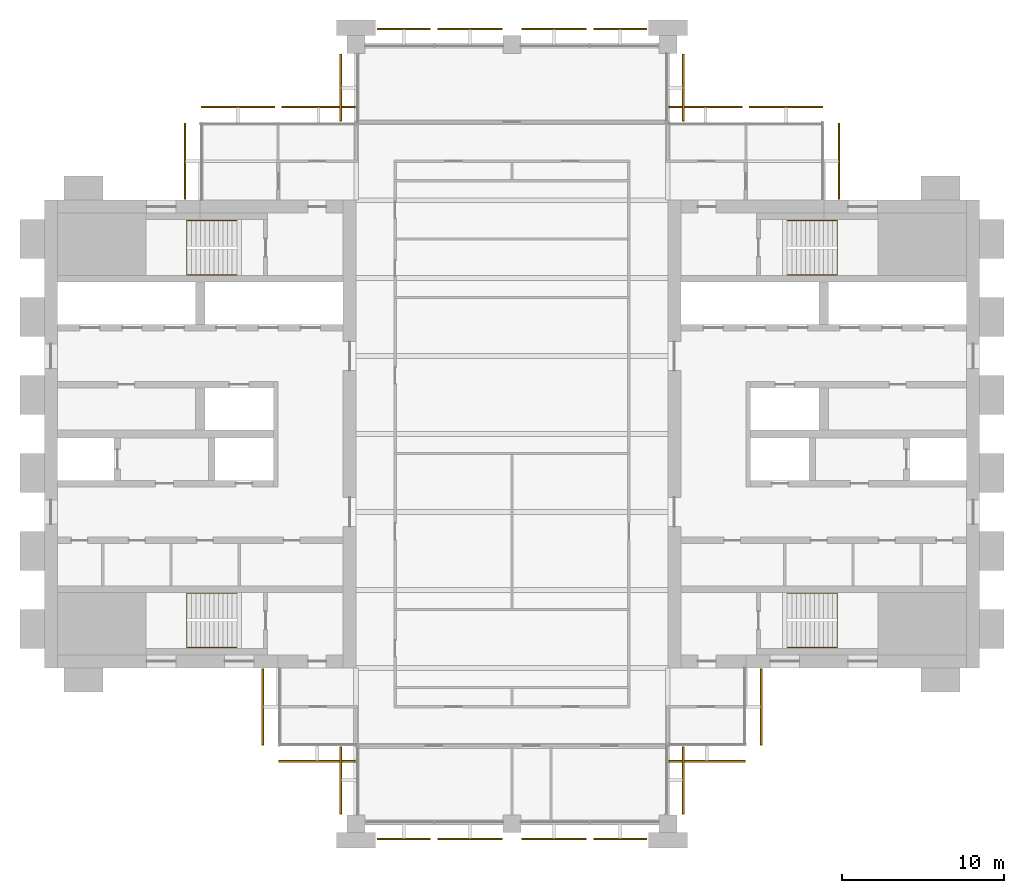
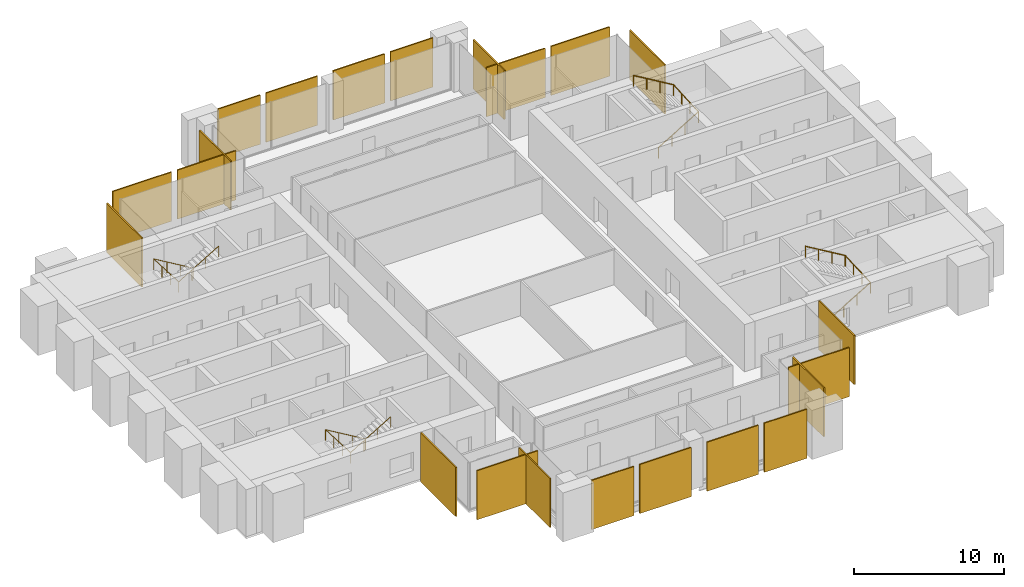
# One storey, part 13 of 13: 22 coverings, 4 railings.
"""IFC4 building model written with IfcOpenShell, lengths in metres."""

from ifc_helpers import new_model, si_unit, direction, frame, origin, origin_2d, place, context, subcontext, project, spatial, polyline, circle, outline, extrude, material, layer, layer_set, type_object, element, save


model = new_model("IFC4")

# Units and contexts
model_context = context("Model", 3, precision=1e-05, world=origin(), true_north=direction((0.0, 1.0)))
body_context = subcontext(model_context, "Body", "Model", "MODEL_VIEW")
ifc_project = project(units=[si_unit("LENGTHUNIT", "METRE"), si_unit("AREAUNIT", "SQUARE_METRE"), si_unit("VOLUMEUNIT", "CUBIC_METRE"), si_unit("PLANEANGLEUNIT", "RADIAN"), si_unit("MASSUNIT", "GRAM", prefix="KILO")], contexts=[model_context])

# Site, building, storey
site_placement = place(None, origin())
site = spatial("IfcSite", under=ifc_project, at=site_placement, CompositionType="ELEMENT")
building_placement = place(site_placement, origin())
building = spatial("IfcBuilding", under=site, at=building_placement, Name="Baori Bourse Tower", CompositionType="ELEMENT")
storey_placement = place(building_placement, frame((0.0, 0.0, 241.199951171875)))
storey = spatial("IfcBuildingStorey", under=building, at=storey_placement, Name="L53", CompositionType="ELEMENT", Elevation=241.199951171875)

# Railings
ifc_material_1 = material(Name="Powder-coated steel balustrade", Category="steel")
railing_type = type_object("IfcRailingType", Name="Core stair handrail", PredefinedType="HANDRAIL", material=ifc_material_1)
railing_1_placement = place(storey_placement, frame((11.85009765625, 14.199951171875, 0.166748046875)))
element("IfcRailing", 1, at=railing_1_placement, inside=storey, type_object=railing_type, Name="L53 ST1 stair handrail 1", PredefinedType="HANDRAIL", context=body_context, shape_type="SweptSolid", body=[
    extrude(circle(Radius=0.02392578125, at=origin_2d()), frame((0.0, 0.0, 0.8759765625), z_axis=(-0.859308565015, 0.0, 0.511457515432), x_axis=(0.0, -1.0, 0.0)), (0.0, 0.0, 1.0), 3.58447265625),
    extrude(circle(Radius=0.02392578125, at=origin_2d()), frame((-3.080078125, 0.0, 2.708984375), z_axis=(0.0, -0.998763387249, 0.04971615724), x_axis=(1.0, 0.0, 0.0)), (0.0, 0.0, 1.0), 3.35400390625),
    extrude(circle(Radius=0.02392578125, at=origin_2d()), frame((-3.080078125, -3.349853515625, 2.8759765625), z_axis=(0.859308565015, 0.0, 0.511457515432), x_axis=(0.0, 1.0, 0.0)), (0.0, 0.0, 1.0), 3.58447265625),
    extrude(circle(Radius=0.02099609375, at=origin_2d()), origin(), (0.0, 0.0, 1.0), 0.851806640625),
    extrude(circle(Radius=0.02099609375, at=origin_2d()), frame((-1.026611328125, 0.0, 0.611083984375)), (0.0, 0.0, 1.0), 0.851806640625),
    extrude(circle(Radius=0.02099609375, at=origin_2d()), frame((-2.053466796875, 0.0, 1.22216796875)), (0.0, 0.0, 1.0), 0.851806640625),
    extrude(circle(Radius=0.02099609375, at=origin_2d()), frame((-3.080078125, 0.0, 1.833251953125)), (0.0, 0.0, 1.0), 0.851806640625),
    extrude(circle(Radius=0.02099609375, at=origin_2d()), frame((-3.080078125, -1.11669921875, 1.888916015625)), (0.0, 0.0, 1.0), 0.851806640625),
    extrude(circle(Radius=0.02099609375, at=origin_2d()), frame((-3.080078125, -2.233154296875, 1.9443359375)), (0.0, 0.0, 1.0), 0.851806640625),
    extrude(circle(Radius=0.02099609375, at=origin_2d()), frame((-3.080078125, -3.349853515625, 2.0)), (0.0, 0.0, 1.0), 0.851806640625),
    extrude(circle(Radius=0.02099609375, at=origin_2d()), frame((-2.053466796875, -3.349853515625, 2.611083984375)), (0.0, 0.0, 1.0), 0.851806640625),
    extrude(circle(Radius=0.02099609375, at=origin_2d()), frame((-1.026611328125, -3.349853515625, 3.22216796875)), (0.0, 0.0, 1.0), 0.851806640625),
    extrude(circle(Radius=0.02099609375, at=origin_2d()), frame((0.0, -3.349853515625, 3.833251953125)), (0.0, 0.0, 1.0), 0.851806640625),
])
railing_2_placement = place(storey_placement, frame((11.85009765625, 37.14990234375, 0.166748046875)))
element("IfcRailing", 2, at=railing_2_placement, inside=storey, type_object=railing_type, Name="L53 ST2 stair handrail 1", PredefinedType="HANDRAIL", context=body_context, shape_type="SweptSolid", body=[
    extrude(circle(Radius=0.02392578125, at=origin_2d()), frame((0.0, 0.0, 0.8759765625), z_axis=(-0.859308565015, 0.0, 0.511457515432), x_axis=(0.0, -1.0, 0.0)), (0.0, 0.0, 1.0), 3.58447265625),
    extrude(circle(Radius=0.02392578125, at=origin_2d()), frame((-3.080078125, 0.0, 2.708984375), z_axis=(0.0, -0.998763387249, 0.04971615724), x_axis=(1.0, 0.0, 0.0)), (0.0, 0.0, 1.0), 3.35400390625),
    extrude(circle(Radius=0.02392578125, at=origin_2d()), frame((-3.080078125, -3.349853515625, 2.8759765625), z_axis=(0.859308565015, 0.0, 0.511457515432), x_axis=(0.0, 1.0, 0.0)), (0.0, 0.0, 1.0), 3.58447265625),
    extrude(circle(Radius=0.02099609375, at=origin_2d()), origin(), (0.0, 0.0, 1.0), 0.851806640625),
    extrude(circle(Radius=0.02099609375, at=origin_2d()), frame((-1.026611328125, 0.0, 0.611083984375)), (0.0, 0.0, 1.0), 0.851806640625),
    extrude(circle(Radius=0.02099609375, at=origin_2d()), frame((-2.053466796875, 0.0, 1.22216796875)), (0.0, 0.0, 1.0), 0.851806640625),
    extrude(circle(Radius=0.02099609375, at=origin_2d()), frame((-3.080078125, 0.0, 1.833251953125)), (0.0, 0.0, 1.0), 0.851806640625),
    extrude(circle(Radius=0.02099609375, at=origin_2d()), frame((-3.080078125, -1.11669921875, 1.888916015625)), (0.0, 0.0, 1.0), 0.851806640625),
    extrude(circle(Radius=0.02099609375, at=origin_2d()), frame((-3.080078125, -2.233154296875, 1.9443359375)), (0.0, 0.0, 1.0), 0.851806640625),
    extrude(circle(Radius=0.02099609375, at=origin_2d()), frame((-3.080078125, -3.349853515625, 2.0)), (0.0, 0.0, 1.0), 0.851806640625),
    extrude(circle(Radius=0.02099609375, at=origin_2d()), frame((-2.053466796875, -3.349853515625, 2.611083984375)), (0.0, 0.0, 1.0), 0.851806640625),
    extrude(circle(Radius=0.02099609375, at=origin_2d()), frame((-1.026611328125, -3.349853515625, 3.22216796875)), (0.0, 0.0, 1.0), 0.851806640625),
    extrude(circle(Radius=0.02099609375, at=origin_2d()), frame((0.0, -3.349853515625, 3.833251953125)), (0.0, 0.0, 1.0), 0.851806640625),
])
railing_3_placement = place(storey_placement, frame((45.75, 10.85009765625, 0.166748046875)))
element("IfcRailing", 3, at=railing_3_placement, inside=storey, type_object=railing_type, Name="L53 ST3 stair handrail 1", PredefinedType="HANDRAIL", context=body_context, shape_type="SweptSolid", body=[
    extrude(circle(Radius=0.02392578125, at=origin_2d()), frame((0.0, 0.0, 0.8759765625), z_axis=(0.859308565015, 0.0, 0.511457515432), x_axis=(0.0, 1.0, 0.0)), (0.0, 0.0, 1.0), 3.58447265625),
    extrude(circle(Radius=0.02392578125, at=origin_2d()), frame((3.080078125, 0.0, 2.708984375), z_axis=(0.0, 0.998763387249, 0.04971615724), x_axis=(-1.0, 0.0, 0.0)), (0.0, 0.0, 1.0), 3.35400390625),
    extrude(circle(Radius=0.02392578125, at=origin_2d()), frame((3.080078125, 3.349853515625, 2.8759765625), z_axis=(-0.859308565015, 0.0, 0.511457515432), x_axis=(0.0, -1.0, 0.0)), (0.0, 0.0, 1.0), 3.58447265625),
    extrude(circle(Radius=0.02099609375, at=origin_2d()), origin(), (0.0, 0.0, 1.0), 0.851806640625),
    extrude(circle(Radius=0.02099609375, at=origin_2d()), frame((1.026611328125, 0.0, 0.611083984375)), (0.0, 0.0, 1.0), 0.851806640625),
    extrude(circle(Radius=0.02099609375, at=origin_2d()), frame((2.053466796875, 0.0, 1.22216796875)), (0.0, 0.0, 1.0), 0.851806640625),
    extrude(circle(Radius=0.02099609375, at=origin_2d()), frame((3.080078125, 0.0, 1.833251953125)), (0.0, 0.0, 1.0), 0.851806640625),
    extrude(circle(Radius=0.02099609375, at=origin_2d()), frame((3.080078125, 1.11669921875, 1.888916015625)), (0.0, 0.0, 1.0), 0.851806640625),
    extrude(circle(Radius=0.02099609375, at=origin_2d()), frame((3.080078125, 2.233154296875, 1.9443359375)), (0.0, 0.0, 1.0), 0.851806640625),
    extrude(circle(Radius=0.02099609375, at=origin_2d()), frame((3.080078125, 3.349853515625, 2.0)), (0.0, 0.0, 1.0), 0.851806640625),
    extrude(circle(Radius=0.02099609375, at=origin_2d()), frame((2.053466796875, 3.349853515625, 2.611083984375)), (0.0, 0.0, 1.0), 0.851806640625),
    extrude(circle(Radius=0.02099609375, at=origin_2d()), frame((1.026611328125, 3.349853515625, 3.22216796875)), (0.0, 0.0, 1.0), 0.851806640625),
    extrude(circle(Radius=0.02099609375, at=origin_2d()), frame((0.0, 3.349853515625, 3.833251953125)), (0.0, 0.0, 1.0), 0.851806640625),
])
railing_4_placement = place(storey_placement, frame((45.75, 33.800048828125, 0.166748046875)))
element("IfcRailing", 4, at=railing_4_placement, inside=storey, type_object=railing_type, Name="L53 ST4 stair handrail 1", PredefinedType="HANDRAIL", context=body_context, shape_type="SweptSolid", body=[
    extrude(circle(Radius=0.02392578125, at=origin_2d()), frame((0.0, 0.0, 0.8759765625), z_axis=(0.859308565015, 0.0, 0.511457515432), x_axis=(0.0, 1.0, 0.0)), (0.0, 0.0, 1.0), 3.58447265625),
    extrude(circle(Radius=0.02392578125, at=origin_2d()), frame((3.080078125, 0.0, 2.708984375), z_axis=(0.0, 0.998763387249, 0.04971615724), x_axis=(-1.0, 0.0, 0.0)), (0.0, 0.0, 1.0), 3.35400390625),
    extrude(circle(Radius=0.02392578125, at=origin_2d()), frame((3.080078125, 3.349853515625, 2.8759765625), z_axis=(-0.859308565015, 0.0, 0.511457515432), x_axis=(0.0, -1.0, 0.0)), (0.0, 0.0, 1.0), 3.58447265625),
    extrude(circle(Radius=0.02099609375, at=origin_2d()), origin(), (0.0, 0.0, 1.0), 0.851806640625),
    extrude(circle(Radius=0.02099609375, at=origin_2d()), frame((1.026611328125, 0.0, 0.611083984375)), (0.0, 0.0, 1.0), 0.851806640625),
    extrude(circle(Radius=0.02099609375, at=origin_2d()), frame((2.053466796875, 0.0, 1.22216796875)), (0.0, 0.0, 1.0), 0.851806640625),
    extrude(circle(Radius=0.02099609375, at=origin_2d()), frame((3.080078125, 0.0, 1.833251953125)), (0.0, 0.0, 1.0), 0.851806640625),
    extrude(circle(Radius=0.02099609375, at=origin_2d()), frame((3.080078125, 1.11669921875, 1.888916015625)), (0.0, 0.0, 1.0), 0.851806640625),
    extrude(circle(Radius=0.02099609375, at=origin_2d()), frame((3.080078125, 2.233154296875, 1.9443359375)), (0.0, 0.0, 1.0), 0.851806640625),
    extrude(circle(Radius=0.02099609375, at=origin_2d()), frame((3.080078125, 3.349853515625, 2.0)), (0.0, 0.0, 1.0), 0.851806640625),
    extrude(circle(Radius=0.02099609375, at=origin_2d()), frame((2.053466796875, 3.349853515625, 2.611083984375)), (0.0, 0.0, 1.0), 0.851806640625),
    extrude(circle(Radius=0.02099609375, at=origin_2d()), frame((1.026611328125, 3.349853515625, 3.22216796875)), (0.0, 0.0, 1.0), 0.851806640625),
    extrude(circle(Radius=0.02099609375, at=origin_2d()), frame((0.0, 3.349853515625, 3.833251953125)), (0.0, 0.0, 1.0), 0.851806640625),
])

# Coverings
ifc_material_2 = material(Name="Pale anodised aluminium", Category="aluminium")
ifc_layer = layer(ifc_material_2, 0.10009765625)
ifc_layer_set = layer_set([ifc_layer], Name="OS3 Outer skin screen panel")
covering_type = type_object("IfcCoveringType", Name="OS3 Outer skin screen panel", PredefinedType="CLADDING", material=ifc_layer_set)
covering_1_placement = place(storey_placement, frame((0.0, 0.0, -0.159912109375)))
element("IfcCovering", 5, at=covering_1_placement, inside=storey, type_object=covering_type, Name="Outer skin screen L53 1", PredefinedType="CLADDING", context=body_context, shape_type="SweptSolid", body=[
    extrude(outline(polyline([(48.89990234375, 43.14990234375), (48.89990234375, 38.449951171875), (49.0, 38.449951171875), (49.0, 43.14990234375), (48.89990234375, 43.14990234375)])), origin(), (0.0, 0.0, 1.0), 4.0),
])
covering_2_placement = place(storey_placement, frame((0.0, 0.0, -0.159912109375)))
element("IfcCovering", 6, at=covering_2_placement, inside=storey, type_object=covering_type, Name="Outer skin screen L53 2", PredefinedType="CLADDING", context=body_context, shape_type="SweptSolid", body=[
    extrude(outline(polyline([(43.425048828125, 44.10009765625), (47.949951171875, 44.10009765625), (47.949951171875, 44.199951171875), (43.425048828125, 44.199951171875), (43.425048828125, 44.10009765625)])), origin(), (0.0, 0.0, 1.0), 4.0),
])
covering_3_placement = place(storey_placement, frame((0.0, 0.0, -0.159912109375)))
element("IfcCovering", 7, at=covering_3_placement, inside=storey, type_object=covering_type, Name="Outer skin screen L53 3", PredefinedType="CLADDING", context=body_context, shape_type="SweptSolid", body=[
    extrude(outline(polyline([(38.449951171875, 44.10009765625), (42.97509765625, 44.10009765625), (42.97509765625, 44.199951171875), (38.449951171875, 44.199951171875), (38.449951171875, 44.10009765625)])), origin(), (0.0, 0.0, 1.0), 4.0),
])
covering_4_placement = place(storey_placement, frame((0.0, 0.0, -0.159912109375)))
element("IfcCovering", 8, at=covering_4_placement, inside=storey, type_object=covering_type, Name="Outer skin screen L53 4", PredefinedType="CLADDING", context=body_context, shape_type="SweptSolid", body=[
    extrude(outline(polyline([(39.300048828125, 47.39990234375), (39.300048828125, 43.25), (39.39990234375, 43.25), (39.39990234375, 47.39990234375), (39.300048828125, 47.39990234375)])), origin(), (0.0, 0.0, 1.0), 4.0),
])
covering_5_placement = place(storey_placement, frame((0.0, 0.0, -0.159912109375)))
element("IfcCovering", 9, at=covering_5_placement, inside=storey, type_object=covering_type, Name="Outer skin screen L53 5", PredefinedType="CLADDING", context=body_context, shape_type="SweptSolid", body=[
    extrude(outline(polyline([(33.824951171875, 48.89990234375), (37.10009765625, 48.89990234375), (37.10009765625, 49.0), (33.824951171875, 49.0), (33.824951171875, 48.89990234375)])), origin(), (0.0, 0.0, 1.0), 4.0),
])
covering_6_placement = place(storey_placement, frame((0.0, 0.0, -0.159912109375)))
element("IfcCovering", 10, at=covering_6_placement, inside=storey, type_object=covering_type, Name="Outer skin screen L53 6", PredefinedType="CLADDING", context=body_context, shape_type="SweptSolid", body=[
    extrude(outline(polyline([(29.39990234375, 48.89990234375), (33.375, 48.89990234375), (33.375, 49.0), (29.39990234375, 49.0), (29.39990234375, 48.89990234375)])), origin(), (0.0, 0.0, 1.0), 4.0),
])
covering_7_placement = place(storey_placement, frame((0.0, 0.0, -0.159912109375)))
element("IfcCovering", 11, at=covering_7_placement, inside=storey, type_object=covering_type, Name="Outer skin screen L53 7", PredefinedType="CLADDING", context=body_context, shape_type="SweptSolid", body=[
    extrude(outline(polyline([(24.22509765625, 48.89990234375), (28.199951171875, 48.89990234375), (28.199951171875, 49.0), (24.22509765625, 49.0), (24.22509765625, 48.89990234375)])), origin(), (0.0, 0.0, 1.0), 4.0),
])
covering_8_placement = place(storey_placement, frame((0.0, 0.0, -0.159912109375)))
element("IfcCovering", 12, at=covering_8_placement, inside=storey, type_object=covering_type, Name="Outer skin screen L53 8", PredefinedType="CLADDING", context=body_context, shape_type="SweptSolid", body=[
    extrude(outline(polyline([(20.5, 48.89990234375), (23.77490234375, 48.89990234375), (23.77490234375, 49.0), (20.5, 49.0), (20.5, 48.89990234375)])), origin(), (0.0, 0.0, 1.0), 4.0),
])
covering_9_placement = place(storey_placement, frame((0.0, 0.0, -0.159912109375)))
element("IfcCovering", 13, at=covering_9_placement, inside=storey, type_object=covering_type, Name="Outer skin screen L53 9", PredefinedType="CLADDING", context=body_context, shape_type="SweptSolid", body=[
    extrude(outline(polyline([(18.300048828125, 43.25), (18.300048828125, 47.39990234375), (18.199951171875, 47.39990234375), (18.199951171875, 43.25), (18.300048828125, 43.25)])), origin(), (0.0, 0.0, 1.0), 4.0),
])
covering_10_placement = place(storey_placement, frame((0.0, 0.0, -0.159912109375)))
element("IfcCovering", 14, at=covering_10_placement, inside=storey, type_object=covering_type, Name="Outer skin screen L53 10", PredefinedType="CLADDING", context=body_context, shape_type="SweptSolid", body=[
    extrude(outline(polyline([(14.625, 44.10009765625), (19.14990234375, 44.10009765625), (19.14990234375, 44.199951171875), (14.625, 44.199951171875), (14.625, 44.10009765625)])), origin(), (0.0, 0.0, 1.0), 4.0),
])
covering_11_placement = place(storey_placement, frame((0.0, 0.0, -0.159912109375)))
element("IfcCovering", 15, at=covering_11_placement, inside=storey, type_object=covering_type, Name="Outer skin screen L53 11", PredefinedType="CLADDING", context=body_context, shape_type="SweptSolid", body=[
    extrude(outline(polyline([(9.64990234375, 44.10009765625), (14.175048828125, 44.10009765625), (14.175048828125, 44.199951171875), (9.64990234375, 44.199951171875), (9.64990234375, 44.10009765625)])), origin(), (0.0, 0.0, 1.0), 4.0),
])
covering_12_placement = place(storey_placement, frame((0.0, 0.0, -0.159912109375)))
element("IfcCovering", 16, at=covering_12_placement, inside=storey, type_object=covering_type, Name="Outer skin screen L53 12", PredefinedType="CLADDING", context=body_context, shape_type="SweptSolid", body=[
    extrude(outline(polyline([(8.699951171875, 38.449951171875), (8.699951171875, 43.14990234375), (8.60009765625, 43.14990234375), (8.60009765625, 38.449951171875), (8.699951171875, 38.449951171875)])), origin(), (0.0, 0.0, 1.0), 4.0),
])
covering_13_placement = place(storey_placement, frame((0.0, 0.0, -0.159912109375)))
element("IfcCovering", 17, at=covering_13_placement, inside=storey, type_object=covering_type, Name="Outer skin screen L53 13", PredefinedType="CLADDING", context=body_context, shape_type="SweptSolid", body=[
    extrude(outline(polyline([(13.5, 4.85009765625), (13.5, 9.550048828125), (13.39990234375, 9.550048828125), (13.39990234375, 4.85009765625), (13.5, 4.85009765625)])), origin(), (0.0, 0.0, 1.0), 4.0),
])
covering_14_placement = place(storey_placement, frame((0.0, 0.0, -0.159912109375)))
element("IfcCovering", 18, at=covering_14_placement, inside=storey, type_object=covering_type, Name="Outer skin screen L53 14", PredefinedType="CLADDING", context=body_context, shape_type="SweptSolid", body=[
    extrude(outline(polyline([(19.14990234375, 3.89990234375), (14.449951171875, 3.89990234375), (14.449951171875, 3.800048828125), (19.14990234375, 3.800048828125), (19.14990234375, 3.89990234375)])), origin(), (0.0, 0.0, 1.0), 4.0),
])
covering_15_placement = place(storey_placement, frame((0.0, 0.0, -0.159912109375)))
element("IfcCovering", 19, at=covering_15_placement, inside=storey, type_object=covering_type, Name="Outer skin screen L53 15", PredefinedType="CLADDING", context=body_context, shape_type="SweptSolid", body=[
    extrude(outline(polyline([(18.300048828125, 0.60009765625), (18.300048828125, 4.75), (18.199951171875, 4.75), (18.199951171875, 0.60009765625), (18.300048828125, 0.60009765625)])), origin(), (0.0, 0.0, 1.0), 4.0),
])
covering_16_placement = place(storey_placement, frame((0.0, 0.0, -0.159912109375)))
element("IfcCovering", 20, at=covering_16_placement, inside=storey, type_object=covering_type, Name="Outer skin screen L53 16", PredefinedType="CLADDING", context=body_context, shape_type="SweptSolid", body=[
    extrude(outline(polyline([(23.77490234375, -0.89990234375), (20.5, -0.89990234375), (20.5, -1.0), (23.77490234375, -1.0), (23.77490234375, -0.89990234375)])), origin(), (0.0, 0.0, 1.0), 4.0),
])
covering_17_placement = place(storey_placement, frame((0.0, 0.0, -0.159912109375)))
element("IfcCovering", 21, at=covering_17_placement, inside=storey, type_object=covering_type, Name="Outer skin screen L53 17", PredefinedType="CLADDING", context=body_context, shape_type="SweptSolid", body=[
    extrude(outline(polyline([(28.199951171875, -0.89990234375), (24.22509765625, -0.89990234375), (24.22509765625, -1.0), (28.199951171875, -1.0), (28.199951171875, -0.89990234375)])), origin(), (0.0, 0.0, 1.0), 4.0),
])
covering_18_placement = place(storey_placement, frame((0.0, 0.0, -0.159912109375)))
element("IfcCovering", 22, at=covering_18_placement, inside=storey, type_object=covering_type, Name="Outer skin screen L53 18", PredefinedType="CLADDING", context=body_context, shape_type="SweptSolid", body=[
    extrude(outline(polyline([(33.375, -0.89990234375), (29.39990234375, -0.89990234375), (29.39990234375, -1.0), (33.375, -1.0), (33.375, -0.89990234375)])), origin(), (0.0, 0.0, 1.0), 4.0),
])
covering_19_placement = place(storey_placement, frame((0.0, 0.0, -0.159912109375)))
element("IfcCovering", 23, at=covering_19_placement, inside=storey, type_object=covering_type, Name="Outer skin screen L53 19", PredefinedType="CLADDING", context=body_context, shape_type="SweptSolid", body=[
    extrude(outline(polyline([(37.10009765625, -0.89990234375), (33.824951171875, -0.89990234375), (33.824951171875, -1.0), (37.10009765625, -1.0), (37.10009765625, -0.89990234375)])), origin(), (0.0, 0.0, 1.0), 4.0),
])
covering_20_placement = place(storey_placement, frame((0.0, 0.0, -0.159912109375)))
element("IfcCovering", 24, at=covering_20_placement, inside=storey, type_object=covering_type, Name="Outer skin screen L53 20", PredefinedType="CLADDING", context=body_context, shape_type="SweptSolid", body=[
    extrude(outline(polyline([(39.300048828125, 4.75), (39.300048828125, 0.60009765625), (39.39990234375, 0.60009765625), (39.39990234375, 4.75), (39.300048828125, 4.75)])), origin(), (0.0, 0.0, 1.0), 4.0),
])
covering_21_placement = place(storey_placement, frame((0.0, 0.0, -0.159912109375)))
element("IfcCovering", 25, at=covering_21_placement, inside=storey, type_object=covering_type, Name="Outer skin screen L53 21", PredefinedType="CLADDING", context=body_context, shape_type="SweptSolid", body=[
    extrude(outline(polyline([(43.14990234375, 3.89990234375), (38.449951171875, 3.89990234375), (38.449951171875, 3.800048828125), (43.14990234375, 3.800048828125), (43.14990234375, 3.89990234375)])), origin(), (0.0, 0.0, 1.0), 4.0),
])
covering_22_placement = place(storey_placement, frame((0.0, 0.0, -0.159912109375)))
element("IfcCovering", 26, at=covering_22_placement, inside=storey, type_object=covering_type, Name="Outer skin screen L53 22", PredefinedType="CLADDING", context=body_context, shape_type="SweptSolid", body=[
    extrude(outline(polyline([(44.10009765625, 9.550048828125), (44.10009765625, 4.85009765625), (44.199951171875, 4.85009765625), (44.199951171875, 9.550048828125), (44.10009765625, 9.550048828125)])), origin(), (0.0, 0.0, 1.0), 4.0),
])

save(model, "model.ifc")
